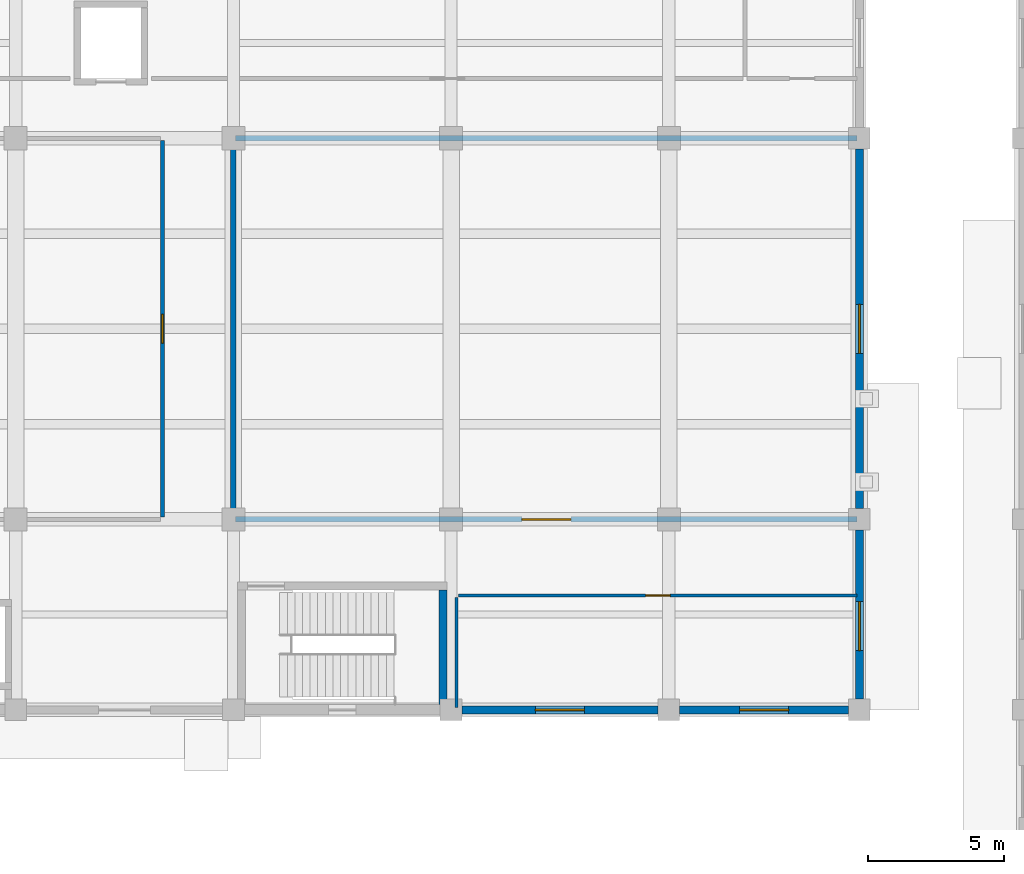
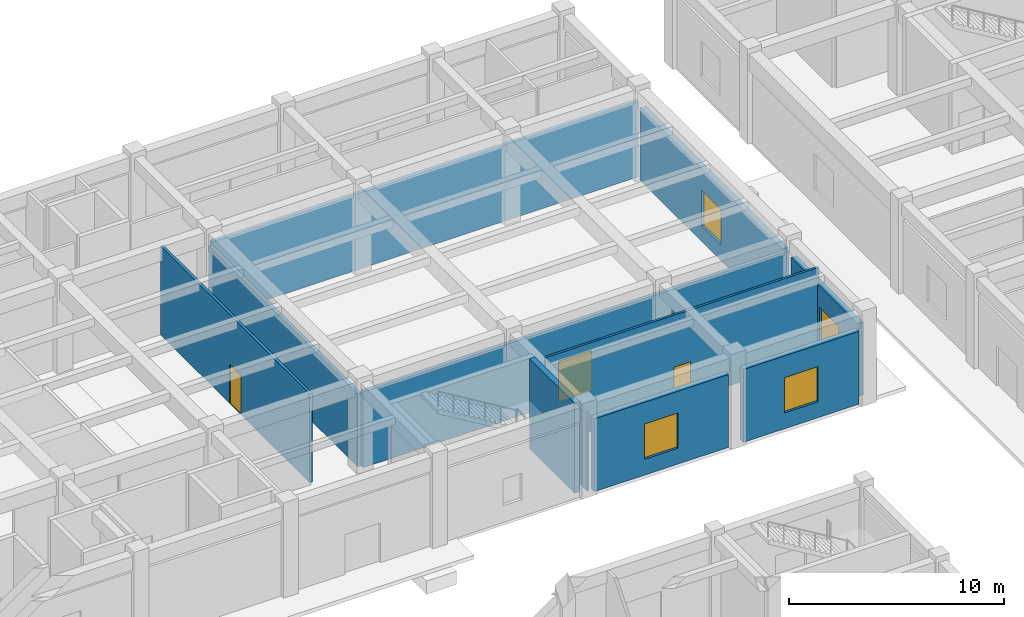
# One storey, part 24 of 40: 11 walls, 4 windows, 3 doors, 7 openings.
"""IFC4 building model written with IfcOpenShell, lengths in metres."""

from ifc_helpers import new_model, si_unit, direction, frame, frame_2d, origin, place, context, subcontext, project, spatial, rectangle, extrude, material, layer, layer_set, type_object, element, fill, save


model = new_model("IFC4")

# Units and contexts
model_context = context("Model", 3, precision=1e-05, world=origin(), true_north=direction((0.0, 1.0)))
body_context = subcontext(model_context, "Body", "Model", "MODEL_VIEW")
ifc_project = project(units=[si_unit("LENGTHUNIT", "METRE"), si_unit("AREAUNIT", "SQUARE_METRE"), si_unit("VOLUMEUNIT", "CUBIC_METRE"), si_unit("PLANEANGLEUNIT", "RADIAN"), si_unit("MASSUNIT", "GRAM", prefix="KILO")], contexts=[model_context])

# Site, building, storey
site_placement = place(None, origin())
site = spatial("IfcSite", under=ifc_project, at=site_placement, CompositionType="ELEMENT")
building_placement = place(site_placement, origin())
building = spatial("IfcBuilding", under=site, at=building_placement, Name="Naurynzar Civic Courthouse", CompositionType="ELEMENT")
storey_placement = place(building_placement, origin())
storey = spatial("IfcBuildingStorey", under=building, at=storey_placement, Name="L01", CompositionType="ELEMENT", Elevation=0.0)

# Wall, opening, door
ifc_material_1 = material(Name="Acoustic Double-Stud Gypsum Partition")
ifc_layer_1 = layer(ifc_material_1, 0.195068359375)
ifc_layer_set_1 = layer_set([ifc_layer_1], Name="WL-ACOUSTIC-195")
wall_type_1 = type_object("IfcWallType", Name="WL-ACOUSTIC-195", PredefinedType="PARTITIONING", material=ifc_layer_set_1)
wall_1_placement = place(storey_placement, frame((101.080078125, 51.0, 0.0), z_axis=(0.0, 0.0, 1.0), x_axis=(1.0, 0.0, 0.0)))
wall_1 = element("IfcWall", 1, at=wall_1_placement, inside=storey, type_object=wall_type_1, Name="V2 interior partition L01.111", PredefinedType="PARTITIONING", context=body_context, shape_type="SweptSolid", body=[
    extrude(rectangle(XDim=22.83984375, YDim=0.195068359375, at=frame_2d((11.419921875, 0.0))), origin(), (0.0, 0.0, 1.0), 4.300048828125),
])
opening_1_placement = place(wall_1_placement, frame((10.52001953125, 0.0, 0.0)))
opening_1 = element("IfcOpeningElement", 2, at=opening_1_placement, cuts=wall_1, Name="Opening D-107", PredefinedType="OPENING", context=body_context, shape_type="SweptSolid", body=[
    extrude(rectangle(XDim=1.800048828125, YDim=2.300048828125, at=frame_2d((0.89990234375, 1.14990234375))), frame((0.0, 0.107421875, 0.0), z_axis=(0.0, -1.0, 0.0), x_axis=(1.0, 0.0, 0.0)), (0.0, 0.0, 1.0), 0.215087890625),
])
ifc_material_2 = material(Name="Acoustic Oak Timber Grade A", Category="wood")
door_type_1 = type_object("IfcDoorType", Name="DR-COURT-DBL-1800x2300", OperationType="DOUBLE_DOOR_SINGLE_SWING", PredefinedType="DOOR", material=ifc_material_2)
door_1_placement = place(opening_1_placement, origin())
door_1 = element("IfcDoor", 3, at=door_1_placement, inside=storey, type_object=door_type_1, Name="Interior door D-107 (Civil Chamber Courtroom L01-E)", OperationType="DOUBLE_DOOR_SINGLE_SWING", OverallHeight=2.300048828125, OverallWidth=1.800048828125, PredefinedType="DOOR", context=body_context, shape_type="SweptSolid", body=[
    extrude(rectangle(XDim=1.800048828125, YDim=2.300048828125, at=frame_2d((0.89990234375, 1.14990234375))), frame((0.0, 0.02490234375, 0.0), z_axis=(0.0, -1.0, 0.0), x_axis=(1.0, 0.0, 0.0)), (0.0, 0.0, 1.0), 0.050048828125),
])
fill(opening_1, door_1)

# Walls
wall_2_placement = place(storey_placement, frame((101.080078125, 65.0, 0.0), z_axis=(0.0, 0.0, 1.0), x_axis=(1.0, 0.0, 0.0)))
element("IfcWall", 4, at=wall_2_placement, inside=storey, type_object=wall_type_1, Name="V2 interior partition L01.119", PredefinedType="PARTITIONING", context=body_context, shape_type="SweptSolid", body=[
    extrude(rectangle(XDim=22.83984375, YDim=0.195068359375, at=frame_2d((11.419921875, 0.0))), origin(), (0.0, 0.0, 1.0), 4.300048828125),
])
wall_3_placement = place(storey_placement, frame((101.0, 51.080078125, 0.0), z_axis=(0.0, 0.0, 1.0), x_axis=(0.0, 1.0, 0.0)))
element("IfcWall", 5, at=wall_3_placement, inside=storey, type_object=wall_type_1, Name="V2 interior partition L01.168", PredefinedType="PARTITIONING", context=body_context, shape_type="SweptSolid", body=[
    extrude(rectangle(XDim=13.83984375, YDim=0.195068359375, at=frame_2d((6.919921875, 0.0))), origin(), (0.0, 0.0, 1.0), 4.14990234375),
])
ifc_material_3 = material(Name="Concrete C40/50", Category="concrete")
ifc_layer_2 = layer(ifc_material_3, 0.300048828125)
ifc_layer_set_2 = layer_set([ifc_layer_2], Name="WL-CORE-300")
wall_type_2 = type_object("IfcWallType", Name="WL-CORE-300", PredefinedType="SHEAR", material=ifc_layer_set_2)
wall_4_placement = place(storey_placement, frame((108.699951171875, 44.195068359375, 0.0), z_axis=(0.0, 0.0, 1.0), x_axis=(0.0, 1.0, 0.0)))
element("IfcWall", 6, at=wall_4_placement, inside=storey, type_object=wall_type_2, Name="Stair ST-V2B enclosure wall east L01", PredefinedType="SHEAR", context=body_context, shape_type="SweptSolid", body=[
    extrude(rectangle(XDim=4.199951171875, YDim=0.300048828125, at=frame_2d((2.10009765625, 0.0))), origin(), (0.0, 0.0, 1.0), 5.10009765625),
])

# Wall, opening, window
ifc_material_4 = material(Name="Precast concrete C40/50", Category="concrete")
ifc_layer_3 = layer(ifc_material_4, 0.300048828125)
ifc_layer_set_3 = layer_set([ifc_layer_3], Name="WL-EXT-300")
wall_type_3 = type_object("IfcWallType", Name="WL-EXT-300", PredefinedType="SOLIDWALL", material=ifc_layer_set_3)
wall_5_placement = place(storey_placement, frame((124.0, 64.60009765625, 0.0), z_axis=(0.0, 0.0, 1.0), x_axis=(0.0, -1.0, 0.0)))
wall_5 = element("IfcWall", 7, at=wall_5_placement, inside=storey, type_object=wall_type_3, Name="V2 exterior wall east L01.2.1", PredefinedType="SOLIDWALL", context=body_context, shape_type="SweptSolid", body=[
    extrude(rectangle(XDim=13.2001953125, YDim=0.300048828125, at=frame_2d((6.60009765625, 0.0))), origin(), (0.0, 0.0, 1.0), 4.1298828125),
])
opening_2_placement = place(wall_5_placement, frame((5.699951171875, 0.0, 0.89990234375)))
opening_2 = element("IfcOpeningElement", 8, at=opening_2_placement, cuts=wall_5, Name="Opening WN-03", PredefinedType="OPENING", context=body_context, shape_type="SweptSolid", body=[
    extrude(rectangle(XDim=1.800048828125, YDim=2.0, at=frame_2d((0.89990234375, 1.0))), frame((0.0, 0.159912109375, 0.0), z_axis=(0.0, -1.0, 0.0), x_axis=(1.0, 0.0, 0.0)), (0.0, 0.0, 1.0), 0.320068359375),
])
ifc_material_5 = material(Name="Tempered Laminated Low-E Glass", Category="glass")
window_type = type_object("IfcWindowType", Name="WIN-COURT-1800x2000", PartitioningType="DOUBLE_PANEL_VERTICAL", PredefinedType="WINDOW", material=ifc_material_5)
window_1_placement = place(opening_2_placement, origin())
window_1 = element("IfcWindow", 9, at=window_1_placement, inside=storey, type_object=window_type, Name="V2 window 45 L01", OverallHeight=2.0, OverallWidth=1.800048828125, PartitioningType="SINGLE_PANEL", PredefinedType="WINDOW", context=body_context, shape_type="SweptSolid", body=[
    extrude(rectangle(XDim=1.800048828125, YDim=2.0, at=frame_2d((0.89990234375, 1.0))), frame((0.0, 0.030029296875, 0.0), z_axis=(0.0, -1.0, 0.0), x_axis=(1.0, 0.0, 0.0)), (0.0, 0.0, 1.0), 0.06005859375),
])
fill(opening_2, window_1)

wall_6_placement = place(storey_placement, frame((124.0, 50.60009765625, 0.0), z_axis=(0.0, 0.0, 1.0), x_axis=(0.0, -1.0, 0.0)))
wall_6 = element("IfcWall", 10, at=wall_6_placement, inside=storey, type_object=wall_type_3, Name="V2 exterior wall east L01.3.1", PredefinedType="SOLIDWALL", context=body_context, shape_type="SweptSolid", body=[
    extrude(rectangle(XDim=6.2001953125, YDim=0.300048828125, at=frame_2d((3.10009765625, 0.0))), origin(), (0.0, 0.0, 1.0), 4.1298828125),
])
opening_3_placement = place(wall_6_placement, frame((2.6201171875, 0.0, 0.89990234375)))
opening_3 = element("IfcOpeningElement", 11, at=opening_3_placement, cuts=wall_6, Name="Opening WN-03", PredefinedType="OPENING", context=body_context, shape_type="SweptSolid", body=[
    extrude(rectangle(XDim=1.800048828125, YDim=2.0, at=frame_2d((0.89990234375, 1.0))), frame((0.0, 0.159912109375, 0.0), z_axis=(0.0, -1.0, 0.0), x_axis=(1.0, 0.0, 0.0)), (0.0, 0.0, 1.0), 0.320068359375),
])
window_2_placement = place(opening_3_placement, origin())
window_2 = element("IfcWindow", 12, at=window_2_placement, inside=storey, type_object=window_type, Name="V2 window 46 L01", OverallHeight=2.0, OverallWidth=1.800048828125, PartitioningType="SINGLE_PANEL", PredefinedType="WINDOW", context=body_context, shape_type="SweptSolid", body=[
    extrude(rectangle(XDim=1.800048828125, YDim=2.0, at=frame_2d((0.89990234375, 1.0))), frame((0.0, 0.030029296875, 0.0), z_axis=(0.0, -1.0, 0.0), x_axis=(1.0, 0.0, 0.0)), (0.0, 0.0, 1.0), 0.06005859375),
])
fill(opening_3, window_2)

wall_7_placement = place(storey_placement, frame((123.60009765625, 44.0, 0.0), z_axis=(0.0, 0.0, 1.0), x_axis=(-1.0, 0.0, 0.0)))
wall_7 = element("IfcWall", 13, at=wall_7_placement, inside=storey, type_object=wall_type_3, Name="V2 exterior wall south L01.1.1", PredefinedType="SOLIDWALL", context=body_context, shape_type="SweptSolid", body=[
    extrude(rectangle(XDim=6.2001953125, YDim=0.300048828125, at=frame_2d((3.10009765625, 0.0))), origin(), (0.0, 0.0, 1.0), 4.1298828125),
])
opening_4_placement = place(wall_7_placement, frame((2.199951171875, 0.0, 0.89990234375)))
opening_4 = element("IfcOpeningElement", 14, at=opening_4_placement, cuts=wall_7, Name="Opening WN-03", PredefinedType="OPENING", context=body_context, shape_type="SweptSolid", body=[
    extrude(rectangle(XDim=1.800048828125, YDim=2.0, at=frame_2d((0.89990234375, 1.0))), frame((0.0, 0.159912109375, 0.0), z_axis=(0.0, -1.0, 0.0), x_axis=(1.0, 0.0, 0.0)), (0.0, 0.0, 1.0), 0.320068359375),
])
window_3_placement = place(opening_4_placement, origin())
window_3 = element("IfcWindow", 15, at=window_3_placement, inside=storey, type_object=window_type, Name="V2 window 47 L01", OverallHeight=2.0, OverallWidth=1.800048828125, PartitioningType="SINGLE_PANEL", PredefinedType="WINDOW", context=body_context, shape_type="SweptSolid", body=[
    extrude(rectangle(XDim=1.800048828125, YDim=2.0, at=frame_2d((0.89990234375, 1.0))), frame((0.0, 0.030029296875, 0.0), z_axis=(0.0, -1.0, 0.0), x_axis=(1.0, 0.0, 0.0)), (0.0, 0.0, 1.0), 0.06005859375),
])
fill(opening_4, window_3)

wall_8_placement = place(storey_placement, frame((116.60009765625, 44.0, 0.0), z_axis=(0.0, 0.0, 1.0), x_axis=(-1.0, 0.0, 0.0)))
wall_8 = element("IfcWall", 16, at=wall_8_placement, inside=storey, type_object=wall_type_3, Name="V2 exterior wall south L01.2.1", PredefinedType="SOLIDWALL", context=body_context, shape_type="SweptSolid", body=[
    extrude(rectangle(XDim=7.2001953125, YDim=0.300048828125, at=frame_2d((3.60009765625, 0.0))), origin(), (0.0, 0.0, 1.0), 4.1298828125),
])
opening_5_placement = place(wall_8_placement, frame((2.699951171875, 0.0, 0.89990234375)))
opening_5 = element("IfcOpeningElement", 17, at=opening_5_placement, cuts=wall_8, Name="Opening WN-03", PredefinedType="OPENING", context=body_context, shape_type="SweptSolid", body=[
    extrude(rectangle(XDim=1.800048828125, YDim=2.0, at=frame_2d((0.89990234375, 1.0))), frame((0.0, 0.159912109375, 0.0), z_axis=(0.0, -1.0, 0.0), x_axis=(1.0, 0.0, 0.0)), (0.0, 0.0, 1.0), 0.320068359375),
])
window_4_placement = place(opening_5_placement, origin())
window_4 = element("IfcWindow", 18, at=window_4_placement, inside=storey, type_object=window_type, Name="V2 window 48 L01", OverallHeight=2.0, OverallWidth=1.800048828125, PartitioningType="SINGLE_PANEL", PredefinedType="WINDOW", context=body_context, shape_type="SweptSolid", body=[
    extrude(rectangle(XDim=1.800048828125, YDim=2.0, at=frame_2d((0.89990234375, 1.0))), frame((0.0, 0.030029296875, 0.0), z_axis=(0.0, -1.0, 0.0), x_axis=(1.0, 0.0, 0.0)), (0.0, 0.0, 1.0), 0.06005859375),
])
fill(opening_5, window_4)

# Wall, opening, door
ifc_material_6 = material(Name="Fire-Rated Corridor Gypsum Partition")
ifc_layer_4 = layer(ifc_material_6, 0.14990234375)
ifc_layer_set_4 = layer_set([ifc_layer_4], Name="WL-PART-CORR-150")
wall_type_4 = type_object("IfcWallType", Name="WL-PART-CORR-150", PredefinedType="PARTITIONING", material=ifc_layer_set_4)
wall_9_placement = place(storey_placement, frame((98.39990234375, 51.080078125, 0.0), z_axis=(0.0, 0.0, 1.0), x_axis=(0.0, 1.0, 0.0)))
wall_9 = element("IfcWall", 19, at=wall_9_placement, inside=storey, type_object=wall_type_4, Name="V2 interior partition L01.166", PredefinedType="PARTITIONING", context=body_context, shape_type="SweptSolid", body=[
    extrude(rectangle(XDim=13.83984375, YDim=0.14990234375, at=frame_2d((6.919921875, 0.0))), origin(), (0.0, 0.0, 1.0), 5.0400390625),
])
opening_6_placement = place(wall_9_placement, frame((6.389892578125, 0.0, 0.0)))
opening_6 = element("IfcOpeningElement", 20, at=opening_6_placement, cuts=wall_9, Name="Opening D-106", PredefinedType="OPENING", context=body_context, shape_type="SweptSolid", body=[
    extrude(rectangle(XDim=1.06005859375, YDim=2.199951171875, at=frame_2d((0.530029296875, 1.10009765625))), frame((0.0, 0.0849609375, 0.0), z_axis=(0.0, -1.0, 0.0), x_axis=(1.0, 0.0, 0.0)), (0.0, 0.0, 1.0), 0.169921875),
])
ifc_material_7 = material(Name="Acoustic Oak Timber Grade A", Category="wood")
door_type_2 = type_object("IfcDoorType", Name="DR-SUITE-1060x2200", OperationType="NOTDEFINED", PredefinedType="DOOR", material=ifc_material_7)
door_2_placement = place(opening_6_placement, origin())
door_2 = element("IfcDoor", 21, at=door_2_placement, inside=storey, type_object=door_type_2, Name="Interior door D-106 (Advocates' Service Suite)", OperationType="SINGLE_SWING_RIGHT", OverallHeight=2.199951171875, OverallWidth=1.06005859375, PredefinedType="DOOR", context=body_context, shape_type="SweptSolid", body=[
    extrude(rectangle(XDim=1.06005859375, YDim=2.199951171875, at=frame_2d((0.530029296875, 1.10009765625))), frame((0.0, 0.02490234375, 0.0), z_axis=(0.0, -1.0, 0.0), x_axis=(1.0, 0.0, 0.0)), (0.0, 0.0, 1.0), 0.050048828125),
])
fill(opening_6, door_2)

ifc_material_8 = material(Name="Metal-Stud Gypsum Partition")
ifc_layer_5 = layer(ifc_material_8, 0.125)
ifc_layer_set_5 = layer_set([ifc_layer_5], Name="WL-PART-STD-125")
wall_type_5 = type_object("IfcWallType", Name="WL-PART-STD-125", PredefinedType="PARTITIONING", material=ifc_layer_set_5)
wall_10_placement = place(storey_placement, frame((109.280029296875, 48.199951171875, 0.0), z_axis=(0.0, 0.0, 1.0), x_axis=(1.0, 0.0, 0.0)))
wall_10 = element("IfcWall", 22, at=wall_10_placement, inside=storey, type_object=wall_type_5, Name="V2 interior partition L01.102", PredefinedType="PARTITIONING", context=body_context, shape_type="SweptSolid", body=[
    extrude(rectangle(XDim=14.639892578125, YDim=0.125, at=frame_2d((7.31982421875, 0.0))), origin(), (0.0, 0.0, 1.0), 5.0400390625),
])
opening_7_placement = place(wall_10_placement, frame((6.8701171875, 0.0, 0.0)))
opening_7 = element("IfcOpeningElement", 23, at=opening_7_placement, cuts=wall_10, Name="Opening D-103", PredefinedType="OPENING", context=body_context, shape_type="SweptSolid", body=[
    extrude(rectangle(XDim=0.89990234375, YDim=2.10009765625, at=frame_2d((0.449951171875, 1.050048828125))), frame((0.0, 0.072509765625, 0.0), z_axis=(0.0, -1.0, 0.0), x_axis=(1.0, 0.0, 0.0)), (0.0, 0.0, 1.0), 0.14501953125),
])
ifc_material_9 = material(Name="Acoustic Oak Timber Grade A", Category="wood")
door_type_3 = type_object("IfcDoorType", Name="DR-SUITE-900x2100", OperationType="NOTDEFINED", PredefinedType="DOOR", material=ifc_material_9)
door_3_placement = place(opening_7_placement, origin())
door_3 = element("IfcDoor", 24, at=door_3_placement, inside=storey, type_object=door_type_3, Name="Interior door D-103 (Witness Waiting Room V2)", OperationType="SINGLE_SWING_LEFT", OverallHeight=2.10009765625, OverallWidth=0.89990234375, PredefinedType="DOOR", context=body_context, shape_type="SweptSolid", body=[
    extrude(rectangle(XDim=0.89990234375, YDim=2.10009765625, at=frame_2d((0.449951171875, 1.050048828125))), frame((0.0, 0.02490234375, 0.0), z_axis=(0.0, -1.0, 0.0), x_axis=(1.0, 0.0, 0.0)), (0.0, 0.0, 1.0), 0.050048828125),
])
fill(opening_7, door_3)

# Wall
wall_11_placement = place(storey_placement, frame((109.199951171875, 44.080078125, 0.0), z_axis=(0.0, 0.0, 1.0), x_axis=(0.0, 1.0, 0.0)))
element("IfcWall", 25, at=wall_11_placement, inside=storey, type_object=wall_type_5, Name="V2 interior partition L01.170", PredefinedType="PARTITIONING", context=body_context, shape_type="SweptSolid", body=[
    extrude(rectangle(XDim=4.0400390625, YDim=0.125, at=frame_2d((2.02001953125, 0.0))), origin(), (0.0, 0.0, 1.0), 4.39990234375),
])

save(model, "model.ifc")
